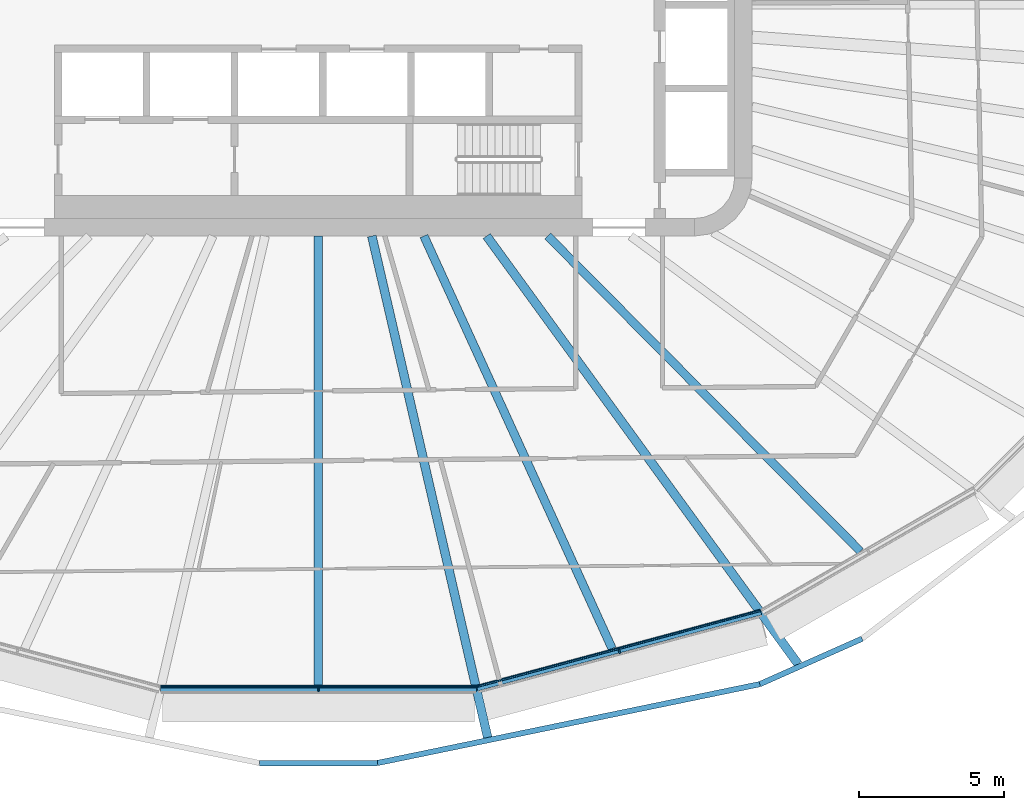
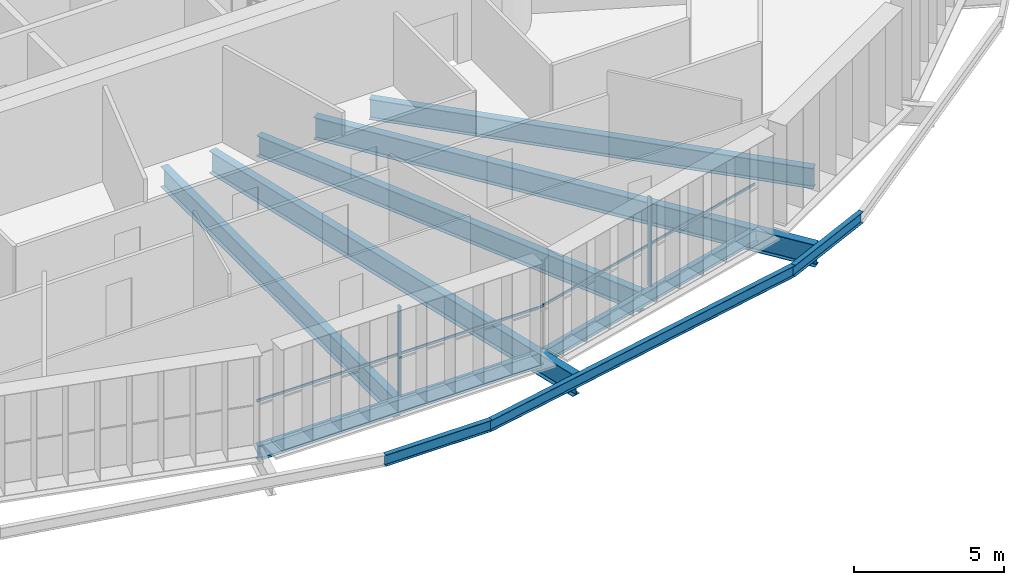
# One storey, part 4 of 26: 10 beams, 4 members, 2 elements without a shape of their own.
"""IFC4 building model written with IfcOpenShell, lengths in metres."""

import ifcopenshell
import ifcopenshell.guid

model = None  # the IFC model being written
_history = None  # IfcOwnerHistory: only IFC2X3 demands one
_inside = {}  # id of a spatial element -> (the spatial element, [elements in it])
_under = {}  # id of a project, library or spatial element -> (it, [spatial elements below it])
_declared = {}  # id of a project -> (the project, [libraries it declares])
_typed = {}  # id of a type object -> (the type object, [elements of that type])
_made_of = {}  # id of a material, layer set ... -> (it, [elements and type objects made of it])


def new_model(schema):
    """Start an empty IFC model of exactly this schema.

    Asked for "IFC4X3", IfcOpenShell would pick the latest addendum, in which some entities
    have other attributes; the version numbers below select the first issue.
    IFC2X3 requires an IfcOwnerHistory on every rooted entity: one is made here for all.
    """
    global model, _history
    if schema == "IFC4X3":
        model = ifcopenshell.file(schema_version=(4, 3, 0, 0))
    else:
        model = ifcopenshell.file(schema=schema)
    _inside.clear()
    _under.clear()
    _declared.clear()
    _typed.clear()
    _made_of.clear()
    _history = None
    if model.schema == "IFC2X3":
        org = make("IfcOrganization", Name="unknown")
        user = make(
            "IfcPersonAndOrganization",
            ThePerson=make("IfcPerson", FamilyName="unknown"),
            TheOrganization=org,
        )
        app = make(
            "IfcApplication",
            ApplicationDeveloper=org,
            Version="unknown",
            ApplicationFullName="unknown",
            ApplicationIdentifier="unknown",
        )
        _history = make(
            "IfcOwnerHistory",
            OwningUser=user,
            OwningApplication=app,
            ChangeAction="ADDED",
            CreationDate=0,
        )
    return model


def make(cls, **values):
    """One entity of the class cls with the attributes given. An attribute that is None is left unset."""
    return model.create_entity(
        cls, **{name: value for name, value in values.items() if value is not None}
    )


def rooted(cls, **values):
    """An entity with a GlobalId (a new one), such as an element, a storey or a relation."""
    return make(cls, GlobalId=ifcopenshell.guid.new(), OwnerHistory=_history, **values)


def si_unit(unit_type, name, prefix=None):
    """IfcSIUnit, for example si_unit("LENGTHUNIT", "METRE", prefix="MILLI")."""
    return make("IfcSIUnit", UnitType=unit_type, Prefix=prefix, Name=name)


def assignment(units):
    """IfcUnitAssignment: the units of a project."""
    return None if units is None else make("IfcUnitAssignment", Units=units)


def point(xyz):
    """IfcCartesianPoint."""
    return None if xyz is None else make("IfcCartesianPoint", Coordinates=xyz)


def direction(xyz):
    """IfcDirection."""
    return None if xyz is None else make("IfcDirection", DirectionRatios=xyz)


def frame(location, z_axis=None, x_axis=None):
    """IfcAxis2Placement3D, a coordinate frame: its origin and axes. An axis left out is left unset."""
    return make(
        "IfcAxis2Placement3D",
        Location=point(location),
        Axis=direction(z_axis),
        RefDirection=direction(x_axis),
    )


def frame_2d(location, x_axis=None):
    """IfcAxis2Placement2D, a coordinate frame in the plane: its origin and x axis."""
    return make(
        "IfcAxis2Placement2D", Location=point(location), RefDirection=direction(x_axis)
    )


def origin():
    """The frame at (0, 0, 0) with its axes left unset."""
    return frame((0.0, 0.0, 0.0))


def origin_2d():
    """The frame at (0, 0) in the plane with its x axis left unset."""
    return frame_2d((0.0, 0.0))


def place(relative_to, where):
    """IfcLocalPlacement: puts the frame where relative to a parent placement (None: the world)."""
    return make(
        "IfcLocalPlacement", PlacementRelTo=relative_to, RelativePlacement=where
    )


def context(
    kind, dimensions, precision=None, world=None, true_north=None, identifier=None
):
    """IfcGeometricRepresentationContext, for example the 3D "Model" context."""
    return make(
        "IfcGeometricRepresentationContext",
        ContextIdentifier=identifier,
        ContextType=kind,
        CoordinateSpaceDimension=dimensions,
        Precision=precision,
        WorldCoordinateSystem=world,
        TrueNorth=true_north,
    )


def subcontext(parent, identifier, kind, view, scale=None):
    """IfcGeometricRepresentationSubContext, for example "Body" below "Model"."""
    return make(
        "IfcGeometricRepresentationSubContext",
        ContextIdentifier=identifier,
        ContextType=kind,
        ParentContext=parent,
        TargetScale=scale,
        TargetView=view,
    )


def project(units=None, contexts=None):
    """IfcProject with its units and contexts."""
    return rooted(
        "IfcProject",
        Name="project",
        RepresentationContexts=contexts,
        UnitsInContext=assignment(units),
    )


def spatial(cls, under=None, at=None, **own):
    """A site, building, storey or space (cls), placed at a placement, below another one or the project."""
    s = rooted(cls, ObjectPlacement=at, **own)
    if under is not None:
        _under.setdefault(under.id(), (under, []))[1].append(s)
    return s


def profile(cls, at=None, kind="AREA", **sizes):
    """A parametric profile (cls). Its sizes go by their IFC names, for example OverallWidth=200.0."""
    return make(cls, ProfileType=kind, Position=at, **sizes)


def rectangle(**sizes):
    """IfcRectangleProfileDef."""
    return profile("IfcRectangleProfileDef", **sizes)


def i_section(**sizes):
    """IfcIShapeProfileDef."""
    return profile("IfcIShapeProfileDef", **sizes)


def extrude(swept, where, along, depth):
    """IfcExtrudedAreaSolid: the profile swept, set in the frame where, extruded along a direction by depth."""
    return make(
        "IfcExtrudedAreaSolid",
        SweptArea=swept,
        Position=where,
        ExtrudedDirection=direction(along),
        Depth=depth,
    )


def shape(context_of_items, identifier, shape_type, items):
    """IfcShapeRepresentation: the items that make up one representation, for example the "Body"."""
    return make(
        "IfcShapeRepresentation",
        ContextOfItems=context_of_items,
        RepresentationIdentifier=identifier,
        RepresentationType=shape_type,
        Items=items,
    )


def material(Name=None, Category=None):
    """IfcMaterial."""
    return make("IfcMaterial", Name=Name, Category=Category)


def layer(
    of_material, thickness, ventilated=None, Name=None, Category=None, Priority=None
):
    """IfcMaterialLayer: one layer of a wall or slab, of a material (None: an air gap)."""
    return make(
        "IfcMaterialLayer",
        Material=of_material,
        LayerThickness=thickness,
        IsVentilated=ventilated,
        Name=Name,
        Category=Category,
        Priority=Priority,
    )


def layer_set(layers, Name=None):
    """IfcMaterialLayerSet."""
    return make("IfcMaterialLayerSet", MaterialLayers=layers, LayerSetName=Name)


def material_profile(
    of_material, cross_section, Name=None, Category=None, Priority=None
):
    """IfcMaterialProfile: a cross section and its material."""
    return make(
        "IfcMaterialProfile",
        Name=Name,
        Material=of_material,
        Profile=cross_section,
        Priority=Priority,
        Category=Category,
    )


def profile_set(profiles, Name=None, composite=None):
    """IfcMaterialProfileSet."""
    return make(
        "IfcMaterialProfileSet",
        Name=Name,
        MaterialProfiles=profiles,
        CompositeProfile=composite,
    )


def made_of(thing, what):
    """Note that an element or type object is made of a material, layer set ...; save() writes the relation."""
    if what is not None:
        _made_of.setdefault(what.id(), (what, []))[1].append(thing)
    return thing


def type_object(cls, material=None, **own):
    """A type object (cls), such as IfcWallType, which elements share."""
    return made_of(rooted(cls, **own), material)


def element(
    cls,
    number,
    at=None,
    inside=None,
    cuts=None,
    type_object=None,
    material=None,
    context=None,
    identifier="Body",
    shape_type=None,
    held_by="IfcProductDefinitionShape",
    body=None,
    shapes=None,
    **own,
):
    """One element of the class cls, such as IfcWall. Its Tag is "e" and its number.

    at: its placement. inside: the storey or other place that contains it. cuts: it is an
    opening in that element (IfcRelVoidsElement). A single representation is given by context,
    identifier, shape_type and body (its items); several are given by shapes. held_by: the class
    of the entity that holds the representations. save() writes the other relations.
    """
    e = rooted(cls, Tag="e%d" % number, ObjectPlacement=at, **own)
    if body is not None:
        shapes = [shape(context, identifier, shape_type, body)]
    if shapes is not None:
        e.Representation = make(held_by, Representations=shapes)
    if inside is not None:
        _inside.setdefault(inside.id(), (inside, []))[1].append(e)
    if cuts is not None:
        rooted(
            "IfcRelVoidsElement", RelatingBuildingElement=cuts, RelatedOpeningElement=e
        )
    if type_object is not None:
        _typed.setdefault(type_object.id(), (type_object, []))[1].append(e)
    return made_of(e, material)


def aggregate(whole, parts):
    """IfcRelAggregates: a whole, such as a stair, and the parts it consists of."""
    return rooted("IfcRelAggregates", RelatingObject=whole, RelatedObjects=parts)


def save(model, path):
    """Write the relations noted so far, then the file.

    IfcRelAggregates (storeys below a building ...), IfcRelContainedInSpatialStructure (elements
    in a storey), IfcRelDefinesByType, IfcRelAssociatesMaterial and IfcRelDeclares: one each for
    every whole, place, type object, material and project.
    """
    for whole, parts in _under.values():
        aggregate(whole, parts)
    for where, things in _inside.values():
        rooted(
            "IfcRelContainedInSpatialStructure",
            RelatedElements=things,
            RelatingStructure=where,
        )
    for kind, things in _typed.values():
        rooted("IfcRelDefinesByType", RelatedObjects=things, RelatingType=kind)
    for what, things in _made_of.values():
        rooted("IfcRelAssociatesMaterial", RelatedObjects=things, RelatingMaterial=what)
    for by, libraries in _declared.values():
        rooted("IfcRelDeclares", RelatingContext=by, RelatedDefinitions=libraries)
    model.write(path)


model = new_model("IFC4")

# Units and contexts
model_context = context("Model", 3, precision=1e-05, world=origin(), true_north=direction((0.0, 1.0)))
body_context = subcontext(model_context, "Body", "Model", "MODEL_VIEW")
ifc_project = project(units=[si_unit("LENGTHUNIT", "METRE"), si_unit("AREAUNIT", "SQUARE_METRE"), si_unit("VOLUMEUNIT", "CUBIC_METRE"), si_unit("PLANEANGLEUNIT", "RADIAN"), si_unit("MASSUNIT", "GRAM", prefix="KILO")], contexts=[model_context])

# Site, building, storey
site_placement = place(None, origin())
site = spatial("IfcSite", under=ifc_project, at=site_placement, CompositionType="ELEMENT")
building_placement = place(site_placement, origin())
building = spatial("IfcBuilding", under=site, at=building_placement, Name="Sahrelin Media Tower", CompositionType="ELEMENT")
storey_placement = place(building_placement, frame((0.0, 0.0, 84.0)))
storey = spatial("IfcBuildingStorey", under=building, at=storey_placement, Name="L15", CompositionType="ELEMENT", Elevation=84.0)

# Beams
ifc_material_1 = material(Name="Steel S355", Category="steel")
ifc_material_profile_1 = material_profile(ifc_material_1, i_section(OverallWidth=0.208740234375, OverallDepth=0.5283203125, WebThickness=0.009521484375, FlangeThickness=0.01318359375, FilletRadius=0.0126953125, at=origin_2d()), Name="UB 533x210x82")
ifc_profile_set_1 = profile_set([ifc_material_profile_1], Name="Steel S355")
beam_type_1 = type_object("IfcBeamType", Name="Edge beam EB6", PredefinedType="BEAM", material=ifc_profile_set_1)
beam_1_placement = place(storey_placement, frame((15.306396484375, -21.001708984375, -0.414306640625), z_axis=(-0.965923284876, -0.258828529599, 0.0), x_axis=(0.258828529599, -0.965923284876, 0.0)))
element("IfcBeam", 1, at=beam_1_placement, inside=storey, type_object=beam_type_1, Name="Edge beam L15-06", PredefinedType="BEAM", context=body_context, shape_type="SweptSolid", body=[
    extrude(i_section(OverallWidth=0.208740234375, OverallDepth=0.5283203125, WebThickness=0.009521484375, FlangeThickness=0.01318359375, FilletRadius=0.0126953125, at=origin_2d()), origin(), (0.0, 0.0, 1.0), 10.16455078125),
])
ifc_material_profile_2 = material_profile(ifc_material_1, i_section(OverallWidth=0.2275390625, OverallDepth=0.6025390625, WebThickness=0.010498046875, FlangeThickness=0.014892578125, FilletRadius=0.0126953125, at=origin_2d()), Name="UB 610x229x101")
ifc_profile_set_2 = profile_set([ifc_material_profile_2], Name="Steel S355")
beam_type_2 = type_object("IfcBeamType", Name="Edge beam EB7", PredefinedType="BEAM", material=ifc_profile_set_2)
beam_2_placement = place(storey_placement, frame((5.459716796875, -23.63623046875, -0.451416015625), z_axis=(-1.0, 0.0, 0.0), x_axis=(0.0, -1.0, 0.0)))
element("IfcBeam", 2, at=beam_2_placement, inside=storey, type_object=beam_type_2, Name="Edge beam L15-07", PredefinedType="BEAM", context=body_context, shape_type="SweptSolid", body=[
    extrude(i_section(OverallWidth=0.2275390625, OverallDepth=0.6025390625, WebThickness=0.010498046875, FlangeThickness=0.014892578125, FilletRadius=0.0126953125, at=origin_2d()), origin(), (0.0, 0.0, 1.0), 10.91943359375),
])

# Curtain wall, member
ifc_material_2 = material(Name="Champagne anodised aluminium 6063-T6", Category="aluminium")
ifc_layer = layer(ifc_material_2, 0.14990234375)
ifc_layer_set = layer_set([ifc_layer], Name="Tower ribbon curtain wall")
curtain_wall_type = type_object("IfcCurtainWallType", Name="Tower ribbon curtain wall", PredefinedType="NOTDEFINED", material=ifc_layer_set)
curtain_wall_1_placement = place(storey_placement, frame((0.0, -23.786376953125, 0.0), z_axis=(0.0, 0.0, 1.0), x_axis=(1.0, 0.0, 0.0)))
curtain_wall_1 = element("IfcCurtainWall", 3, at=curtain_wall_1_placement, inside=storey, type_object=curtain_wall_type, Name="L15:CW:L15-18", PredefinedType="NOTDEFINED")
ifc_material_profile_3 = material_profile(ifc_material_2, rectangle(XDim=0.06005859375, YDim=0.14990234375, at=origin_2d()), Name="Mullion 60x150")
ifc_profile_set_3 = profile_set([ifc_material_profile_3], Name="Champagne anodised aluminium 6063-T6")
member_type_1 = type_object("IfcMemberType", Name="Mullion 60x150 CW1", PredefinedType="MULLION", material=ifc_profile_set_3)
member_1_placement = place(storey_placement, frame((0.0, -23.69140625, 0.0), z_axis=(0.0, 0.0, 1.0), x_axis=(1.0, 0.0, 0.0)))
member_1 = element("IfcMember", 4, at=member_1_placement, type_object=member_type_1, Name="L15:CWM:L15-18", PredefinedType="MULLION", context=body_context, shape_type="SweptSolid", body=[
    extrude(rectangle(XDim=0.06005859375, YDim=0.14990234375, at=origin_2d()), origin(), (0.0, 0.0, 1.0), 3.648681640625),
])

curtain_wall_2_placement = place(storey_placement, frame((10.436279296875, -22.4619140625, 0.0), z_axis=(0.0, 0.0, 1.0), x_axis=(1.0, 0.0, 0.0)))
curtain_wall_2 = element("IfcCurtainWall", 5, at=curtain_wall_2_placement, inside=storey, type_object=curtain_wall_type, Name="L15:CW:L15-19", PredefinedType="NOTDEFINED")
member_2_placement = place(storey_placement, frame((10.41162109375, -22.370361328125, 0.0), z_axis=(0.0, 0.0, 1.0), x_axis=(0.965926278012, 0.258817359244, 0.0)))
member_2 = element("IfcMember", 6, at=member_2_placement, type_object=member_type_1, Name="L15:CWM:L15-19", PredefinedType="MULLION", context=body_context, shape_type="SweptSolid", body=[
    extrude(rectangle(XDim=0.06005859375, YDim=0.14990234375, at=origin_2d()), origin(), (0.0, 0.0, 1.0), 3.648681640625),
])

# Beams
ifc_material_profile_4 = material_profile(ifc_material_1, i_section(OverallWidth=0.30322265625, OverallDepth=0.903076171875, WebThickness=0.01513671875, FlangeThickness=0.020263671875, FilletRadius=0.01904296875, at=origin_2d()), Name="UB 914x305x201")
ifc_profile_set_4 = profile_set([ifc_material_profile_4], Name="Steel S355")
beam_type_3 = type_object("IfcBeamType", Name="Radial primary beam PB11", PredefinedType="BEAM", material=ifc_profile_set_4)
beam_3_placement = place(storey_placement, frame((1.847900390625, -8.0, -0.6015625), z_axis=(0.225036807982, -0.974350263023, 0.0), x_axis=(0.974350263023, 0.225036807982, 0.0)))
element("IfcBeam", 7, at=beam_3_placement, inside=storey, type_object=beam_type_3, Name="Radial beam L15-19", PredefinedType="BEAM", context=body_context, shape_type="SweptSolid", body=[
    extrude(i_section(OverallWidth=0.30322265625, OverallDepth=0.903076171875, WebThickness=0.01513671875, FlangeThickness=0.020263671875, FilletRadius=0.01904296875, at=origin_2d()), origin(), (0.0, 0.0, 1.0), 17.7998046875),
])
beam_4_placement = place(storey_placement, frame((5.8203125, -8.0, -0.6015625), z_axis=(0.588305671359, -0.808638631928, 0.0), x_axis=(0.808638631928, 0.588305671359, 0.0)))
element("IfcBeam", 8, at=beam_4_placement, inside=storey, type_object=beam_type_3, Name="Radial beam L15-20", PredefinedType="BEAM", context=body_context, shape_type="SweptSolid", body=[
    extrude(i_section(OverallWidth=0.30322265625, OverallDepth=0.903076171875, WebThickness=0.01513671875, FlangeThickness=0.020263671875, FilletRadius=0.01904296875, at=origin_2d()), origin(), (0.0, 0.0, 1.0), 18.310546875),
])
ifc_material_profile_5 = material_profile(ifc_material_1, i_section(OverallWidth=0.291748046875, OverallDepth=0.8349609375, WebThickness=0.013916015625, FlangeThickness=0.018798828125, FilletRadius=0.017822265625, at=origin_2d()), Name="UB 838x292x176")
ifc_profile_set_5 = profile_set([ifc_material_profile_5], Name="Steel S355")
beam_type_4 = type_object("IfcBeamType", Name="Radial secondary beam SB10", PredefinedType="BEAM", material=ifc_profile_set_5)
beam_5_placement = place(storey_placement, frame((0.0, -8.0, -0.5673828125), z_axis=(0.0, -1.0, 0.0), x_axis=(1.0, 0.0, 0.0)))
element("IfcBeam", 9, at=beam_5_placement, inside=storey, type_object=beam_type_4, Name="Secondary beam L15-18", PredefinedType="BEAM", context=body_context, shape_type="SweptSolid", body=[
    extrude(i_section(OverallWidth=0.291748046875, OverallDepth=0.8349609375, WebThickness=0.013916015625, FlangeThickness=0.018798828125, FilletRadius=0.017822265625, at=origin_2d()), origin(), (0.0, 0.0, 1.0), 15.5224609375),
])
beam_6_placement = place(storey_placement, frame((3.6494140625, -8.0, -0.5673828125), z_axis=(0.415038402282, -0.909803893502, 0.0), x_axis=(0.909803893502, 0.415038402282, 0.0)))
element("IfcBeam", 10, at=beam_6_placement, inside=storey, type_object=beam_type_4, Name="Secondary beam L15-19", PredefinedType="BEAM", context=body_context, shape_type="SweptSolid", body=[
    extrude(i_section(OverallWidth=0.291748046875, OverallDepth=0.8349609375, WebThickness=0.013916015625, FlangeThickness=0.018798828125, FilletRadius=0.017822265625, at=origin_2d()), origin(), (0.0, 0.0, 1.0), 15.687744140625),
])
beam_7_placement = place(storey_placement, frame((7.93115234375, -8.0, -0.5673828125), z_axis=(0.704056941584, -0.710143522823, 0.0), x_axis=(0.710143522823, 0.704056941584, 0.0)))
element("IfcBeam", 11, at=beam_7_placement, inside=storey, type_object=beam_type_4, Name="Secondary beam L15-20", PredefinedType="BEAM", context=body_context, shape_type="SweptSolid", body=[
    extrude(i_section(OverallWidth=0.291748046875, OverallDepth=0.8349609375, WebThickness=0.013916015625, FlangeThickness=0.018798828125, FilletRadius=0.017822265625, at=origin_2d()), origin(), (0.0, 0.0, 1.0), 15.362548828125),
])
ifc_material_profile_6 = material_profile(ifc_material_1, i_section(OverallWidth=0.1904296875, OverallDepth=0.45703125, WebThickness=0.009033203125, FlangeThickness=0.014404296875, FilletRadius=0.01025390625, at=origin_2d()), Name="UB 457x191x74")
ifc_profile_set_6 = profile_set([ifc_material_profile_6], Name="Steel S355")
beam_type_5 = type_object("IfcBeamType", Name="Tie chord TC5", PredefinedType="BEAM", material=ifc_profile_set_6)
beam_8_placement = place(storey_placement, frame((-2.0400390625, -26.22705078125, -0.37841796875), z_axis=(1.0, 0.0, 0.0), x_axis=(0.0, 1.0, 0.0)))
element("IfcBeam", 12, at=beam_8_placement, inside=storey, type_object=beam_type_5, Name="Tie chord L15-18", PredefinedType="BEAM", context=body_context, shape_type="SweptSolid", body=[
    extrude(i_section(OverallWidth=0.1904296875, OverallDepth=0.45703125, WebThickness=0.009033203125, FlangeThickness=0.014404296875, FilletRadius=0.01025390625, at=origin_2d()), origin(), (0.0, 0.0, 1.0), 4.080078125),
])
beam_9_placement = place(storey_placement, frame((2.0400390625, -26.22705078125, -0.37841796875), z_axis=(0.97938622265, 0.201996601169, 0.0), x_axis=(-0.201996601169, 0.97938622265, 0.0)))
element("IfcBeam", 13, at=beam_9_placement, inside=storey, type_object=beam_type_5, Name="Tie chord L15-19", PredefinedType="BEAM", context=body_context, shape_type="SweptSolid", body=[
    extrude(i_section(OverallWidth=0.1904296875, OverallDepth=0.45703125, WebThickness=0.009033203125, FlangeThickness=0.014404296875, FilletRadius=0.01025390625, at=origin_2d()), origin(), (0.0, 0.0, 1.0), 13.509033203125),
])
beam_10_placement = place(storey_placement, frame((15.2705078125, -23.498291015625, -0.37841796875), z_axis=(0.913821963128, 0.406115032601, 0.0), x_axis=(-0.406115032601, 0.913821963128, 0.0)))
element("IfcBeam", 14, at=beam_10_placement, inside=storey, type_object=beam_type_5, Name="Tie chord L15-20", PredefinedType="BEAM", context=body_context, shape_type="SweptSolid", body=[
    extrude(i_section(OverallWidth=0.1904296875, OverallDepth=0.45703125, WebThickness=0.009033203125, FlangeThickness=0.014404296875, FilletRadius=0.01025390625, at=origin_2d()), origin(), (0.0, 0.0, 1.0), 3.86669921875),
])

# Member
ifc_material_profile_7 = material_profile(ifc_material_2, rectangle(XDim=0.050048828125, YDim=0.10009765625, at=origin_2d()), Name="Transom 50x100")
ifc_profile_set_7 = profile_set([ifc_material_profile_7], Name="Champagne anodised aluminium 6063-T6")
member_type_2 = type_object("IfcMemberType", Name="Transom 50x100 CW1", PredefinedType="USERDEFINED", material=ifc_profile_set_7)
member_3_placement = place(storey_placement, frame((-5.444091796875, -23.59130859375, 1.60009765625), z_axis=(1.0, 0.0, 0.0), x_axis=(0.0, 1.0, 0.0)))
member_3 = element("IfcMember", 15, at=member_3_placement, type_object=member_type_2, Name="L15:CWT:L15-18", ObjectType="TRANSOM", PredefinedType="USERDEFINED", context=body_context, shape_type="SweptSolid", body=[
    extrude(rectangle(XDim=0.050048828125, YDim=0.10009765625, at=origin_2d()), origin(), (0.0, 0.0, 1.0), 10.88818359375),
])

aggregate(curtain_wall_1, [member_1, member_3])

member_4_placement = place(storey_placement, frame((5.49169921875, -23.5849609375, 1.60009765625), z_axis=(0.965927940896, 0.258811153154, 0.0), x_axis=(-0.258811153154, 0.965927940896, 0.0)))
member_4 = element("IfcMember", 16, at=member_4_placement, type_object=member_type_2, Name="L15:CWT:L15-19", ObjectType="TRANSOM", PredefinedType="USERDEFINED", context=body_context, shape_type="SweptSolid", body=[
    extrude(rectangle(XDim=0.050048828125, YDim=0.10009765625, at=origin_2d()), origin(), (0.0, 0.0, 1.0), 10.133056640625),
])

aggregate(curtain_wall_2, [member_2, member_4])

save(model, "model.ifc")
